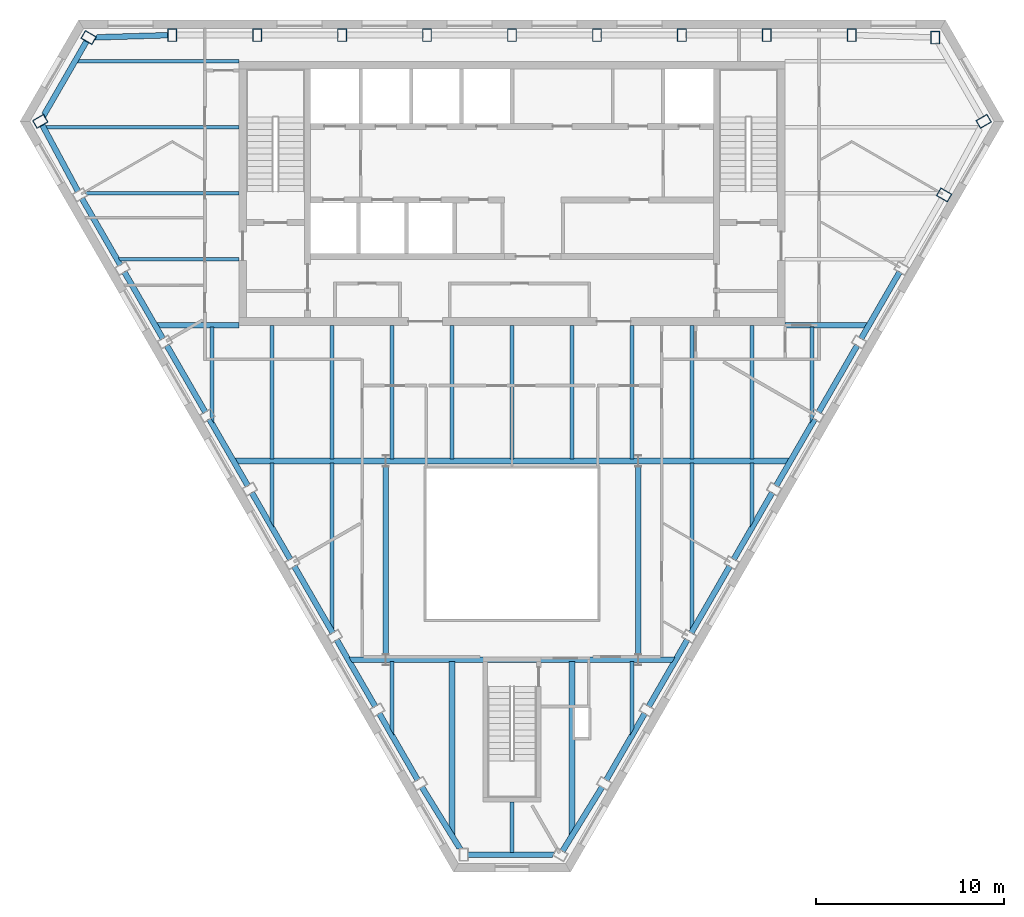
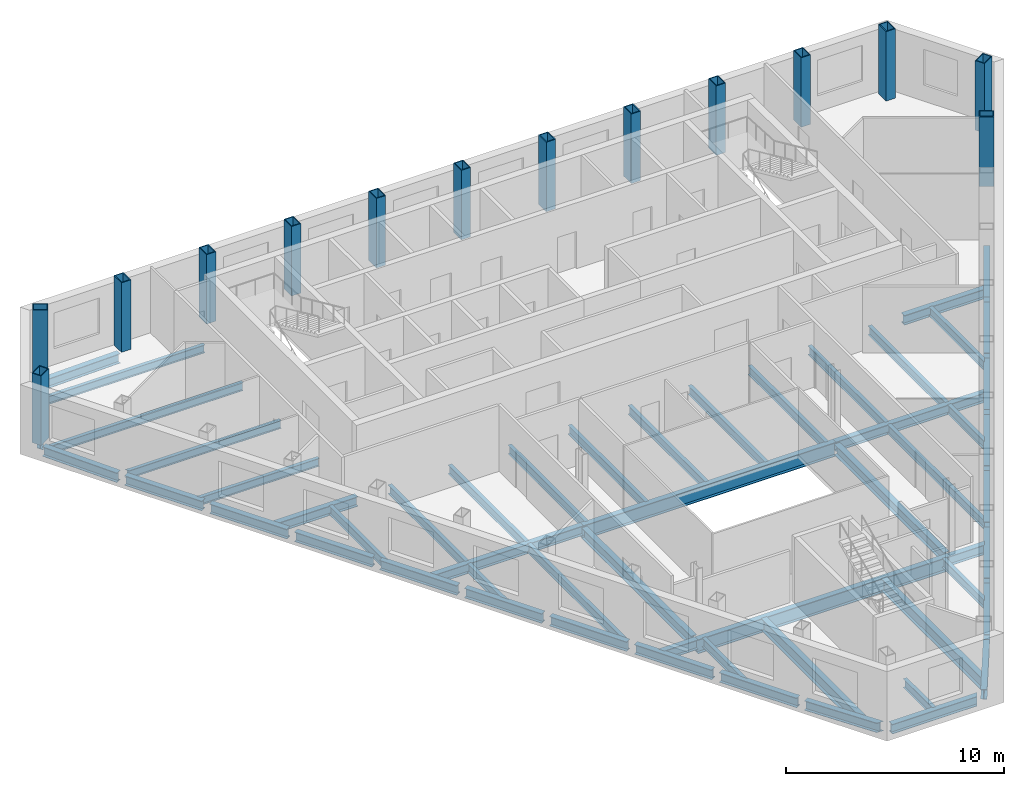
# One storey, part 2 of 10: 55 beams, 14 columns.
"""IFC4 building model written with IfcOpenShell, lengths in metres."""

from ifc_helpers import new_model, si_unit, direction, frame, origin, origin_2d, place, context, subcontext, project, spatial, hollow_rectangle, i_section, extrude, clip, halfspace, material, material_profile, profile_set, type_object, element, save


model = new_model("IFC4")

# Units and contexts
model_context = context("Model", 3, precision=1e-05, world=origin(), true_north=direction((0.0, 1.0)))
body_context = subcontext(model_context, "Body", "Model", "MODEL_VIEW")
ifc_project = project(units=[si_unit("LENGTHUNIT", "METRE"), si_unit("AREAUNIT", "SQUARE_METRE"), si_unit("VOLUMEUNIT", "CUBIC_METRE"), si_unit("PLANEANGLEUNIT", "RADIAN"), si_unit("MASSUNIT", "GRAM", prefix="KILO")], contexts=[model_context])

# Site, building, storey
site_placement = place(None, origin())
site = spatial("IfcSite", under=ifc_project, at=site_placement, CompositionType="ELEMENT")
building_placement = place(site_placement, origin())
building = spatial("IfcBuilding", under=site, at=building_placement, Name="Njiva Tower", CompositionType="ELEMENT")
storey_placement = place(building_placement, frame((0.0, 0.0, 249.3)))
storey = spatial("IfcBuildingStorey", under=building, at=storey_placement, Name="L56", CompositionType="ELEMENT", Elevation=249.3)

# Columns
ifc_material = material(Name="Steel S355 J2", Category="steel")
ifc_material_profile_1 = material_profile(ifc_material, hollow_rectangle(XDim=0.5, YDim=0.7, WallThickness=0.045, at=origin_2d()), Name="BOX 700x500x45")
ifc_profile_set_1 = profile_set([ifc_material_profile_1], Name="Steel S355 J2")
column_type = type_object("IfcColumnType", Name="C13 Perimeter tube column BOX 700x500x45", PredefinedType="COLUMN", material=ifc_profile_set_1)
for number, where, z_axis, x_axis, name in (
    (1, (22.466, 19.267, 0.0), (0.0, 0.0, 1.0), (-1.0, 0.0, 0.0), "Perimeter tube column S18-C01"),
    (2, (18.034, 19.4, 0.0), (0.0, 0.0, 1.0), (-1.0, 0.0, 0.0), "Perimeter tube column S18-C02"),
    (3, (13.526, 19.4, 0.0), (0.0, 0.0, 1.0), (-1.0, 0.0, 0.0), "Perimeter tube column S18-C03"),
    (4, (9.017, 19.4, 0.0), (0.0, 0.0, 1.0), (-1.0, 0.0, 0.0), "Perimeter tube column S18-C04"),
    (5, (4.509, 19.4, 0.0), (0.0, 0.0, 1.0), (-1.0, 0.0, 0.0), "Perimeter tube column S18-C05"),
    (6, (0.0, 19.4, 0.0), (0.0, 0.0, 1.0), (-1.0, 0.0, 0.0), "Perimeter tube column S18-C06"),
    (7, (-4.509, 19.4, 0.0), (0.0, 0.0, 1.0), (-1.0, 0.0, 0.0), "Perimeter tube column S18-C07"),
    (8, (-9.017, 19.4, 0.0), (0.0, 0.0, 1.0), (-1.0, 0.0, 0.0), "Perimeter tube column S18-C08"),
    (9, (-13.526, 19.4, 0.0), (0.0, 0.0, 1.0), (-1.0, 0.0, 0.0), "Perimeter tube column S18-C09"),
    (10, (-18.034, 19.4, 0.0), (0.0, 0.0, 1.0), (-1.0, 0.0, 0.0), "Perimeter tube column S18-C10"),
    (11, (-22.466, 19.267, 0.0), (0.0, 0.0, 1.0), (-0.5, -0.866025403784, 0.0), "Perimeter tube column S18-C11"),
    (12, (-25.033, 14.822, 0.0), (0.0, 0.0, 1.0), (0.5, -0.866025403784, 0.0), "Perimeter tube column S18-C12"),
    (13, (22.932, 10.917, 0.0), (0.0, 0.0, 1.0), (0.5, 0.866025403784, 0.0), "Perimeter tube column S18-C32"),
    (14, (25.033, 14.822, 0.0), (0.0, 0.0, 1.0), (-0.5, 0.866025403784, 0.0), "Perimeter tube column S18-C33"),
):
    element("IfcColumn", number, at=place(storey_placement, frame(where, z_axis=z_axis, x_axis=x_axis)), inside=storey, type_object=column_type, Name=name, PredefinedType="COLUMN", context=body_context, shape_type="SweptSolid", body=[
        extrude(hollow_rectangle(XDim=0.5, YDim=0.7, WallThickness=0.045, at=origin_2d()), origin(), (0.0, 0.0, 1.0), 3.9),
    ])

# Beams
ifc_material_profile_2 = material_profile(ifc_material, i_section(OverallWidth=0.3, OverallDepth=0.69, WebThickness=0.0145, FlangeThickness=0.027, at=origin_2d()), Name="HEA 700")
ifc_profile_set_2 = profile_set([ifc_material_profile_2], Name="Steel S355 J2")
beam_type_1 = type_object("IfcBeamType", Name="B26 Floor joist HEA 700", PredefinedType="JOIST", material=ifc_profile_set_2)
beam_1_placement = place(storey_placement, frame((-3.183, -13.85, -0.545), z_axis=(0.0, -1.0, 0.0), x_axis=(1.0, 0.0, 0.0)))
element("IfcBeam", 15, at=beam_1_placement, inside=storey, type_object=beam_type_1, Name="Floor joist S18-B061", PredefinedType="JOIST", context=body_context, shape_type="Clipping", body=[
    clip(extrude(i_section(OverallWidth=0.3, OverallDepth=0.69, WebThickness=0.0145, FlangeThickness=0.027, at=origin_2d()), origin(), (0.0, 0.0, 1.0), 9.234), halfspace(frame((-0.0429, 0.0, 8.9834), z_axis=(-0.850624900762, 0.0, 0.525773029171), x_axis=(0.0, 1.0, 0.0)), False)),
])
beam_2_placement = place(storey_placement, frame((3.183, -13.85, -0.545), z_axis=(0.0, -1.0, 0.0), x_axis=(1.0, 0.0, 0.0)))
element("IfcBeam", 16, at=beam_2_placement, inside=storey, type_object=beam_type_1, Name="Floor joist S18-B066", PredefinedType="JOIST", context=body_context, shape_type="Clipping", body=[
    clip(extrude(i_section(OverallWidth=0.3, OverallDepth=0.69, WebThickness=0.0145, FlangeThickness=0.027, at=origin_2d()), origin(), (0.0, 0.0, 1.0), 9.234), halfspace(frame((0.0429, 0.0, 8.9834), z_axis=(0.850624900762, 0.0, 0.525773029171), x_axis=(0.0, 1.0, 0.0)), False)),
])
ifc_material_profile_3 = material_profile(ifc_material, i_section(OverallWidth=0.3, OverallDepth=0.59, WebThickness=0.013, FlangeThickness=0.025, at=origin_2d()), Name="HEA 600")
ifc_profile_set_3 = profile_set([ifc_material_profile_3], Name="Steel S355 J2")
beam_type_2 = type_object("IfcBeamType", Name="B30 Long-span atrium trimmer beam HEA 600", PredefinedType="BEAM", material=ifc_profile_set_3)
for number, where, z_axis, x_axis, name in (
    (17, (6.7, -13.5, -0.495), (0.0, 1.0, 0.0), (-1.0, 0.0, 0.0), "Long-span atrium trimmer beam S18-B083"),
    (18, (-6.7, -3.45, -0.495), (0.0, -1.0, 0.0), (1.0, 0.0, 0.0), "Long-span atrium trimmer beam S18-B080"),
):
    element("IfcBeam", number, at=place(storey_placement, frame(where, z_axis=z_axis, x_axis=x_axis)), inside=storey, type_object=beam_type_2, Name=name, PredefinedType="BEAM", context=body_context, shape_type="SweptSolid", body=[
        extrude(i_section(OverallWidth=0.3, OverallDepth=0.59, WebThickness=0.013, FlangeThickness=0.025, at=origin_2d()), origin(), (0.0, 0.0, 1.0), 10.05),
    ])
ifc_material_profile_4 = material_profile(ifc_material, i_section(OverallWidth=0.19, OverallDepth=0.45, WebThickness=0.0094, FlangeThickness=0.0146, at=origin_2d()), Name="IPE 450")
ifc_profile_set_4 = profile_set([ifc_material_profile_4], Name="Steel S355 J2")
beam_type_3 = type_object("IfcBeamType", Name="B37 Floor beam to the core IPE 450", PredefinedType="BEAM", material=ifc_profile_set_4)
beam_3_placement = place(storey_placement, frame((-20.918, 7.5, -0.425), z_axis=(1.0, 0.0, 0.0), x_axis=(0.0, 1.0, 0.0)))
element("IfcBeam", 19, at=beam_3_placement, inside=storey, type_object=beam_type_3, Name="Floor beam to the core S18-B014", PredefinedType="BEAM", context=body_context, shape_type="Clipping", body=[
    clip(extrude(i_section(OverallWidth=0.19, OverallDepth=0.45, WebThickness=0.0094, FlangeThickness=0.0146, at=origin_2d()), origin(), (0.0, 0.0, 1.0), 6.418), halfspace(frame((-0.025, 0.0, 0.089), z_axis=(-0.499998009787, 0.0, -0.866026552831), x_axis=(0.0, -1.0, 0.0)), False)),
])
beam_4_placement = place(storey_placement, frame((-22.709, 11.0, -0.425), z_axis=(1.0, 0.0, 0.0), x_axis=(0.0, 1.0, 0.0)))
element("IfcBeam", 20, at=beam_4_placement, inside=storey, type_object=beam_type_3, Name="Floor beam to the core S18-B013", PredefinedType="BEAM", context=body_context, shape_type="Clipping", body=[
    clip(extrude(i_section(OverallWidth=0.19, OverallDepth=0.45, WebThickness=0.0094, FlangeThickness=0.0146, at=origin_2d()), origin(), (0.0, 0.0, 1.0), 8.209), halfspace(frame((-0.025, 0.0, 0.0899), z_axis=(-0.499998009787, 0.0, -0.866026552831), x_axis=(0.0, -1.0, 0.0)), False)),
])
beam_5_placement = place(storey_placement, frame((-23.157, 18.0, -0.425), z_axis=(1.0, 0.0, 0.0), x_axis=(0.0, 1.0, 0.0)))
element("IfcBeam", 21, at=beam_5_placement, inside=storey, type_object=beam_type_3, Name="Floor beam to the core S18-B011", PredefinedType="BEAM", context=body_context, shape_type="Clipping", body=[
    clip(extrude(i_section(OverallWidth=0.19, OverallDepth=0.45, WebThickness=0.0094, FlangeThickness=0.0146, at=origin_2d()), origin(), (0.0, 0.0, 1.0), 8.657), halfspace(frame((0.025, 0.0, 0.0892), z_axis=(0.499998009787, 0.0, -0.866026552831), x_axis=(0.0, -1.0, 0.0)), False)),
])
ifc_material_profile_5 = material_profile(ifc_material, i_section(OverallWidth=0.3, OverallDepth=0.54, WebThickness=0.0125, FlangeThickness=0.024, at=origin_2d()), Name="HEA 550")
ifc_profile_set_5 = profile_set([ifc_material_profile_5], Name="Steel S355 J2")
beam_type_4 = type_object("IfcBeamType", Name="B39 Short-span spandrel beam HEA 550", PredefinedType="SPANDREL", material=ifc_profile_set_5)
beam_6_placement = place(storey_placement, frame((-18.238, 19.394, -0.47), z_axis=(-0.999544721099, -0.030172015575, 0.0), x_axis=(0.030172015575, -0.999544721099, 0.0)))
element("IfcBeam", 22, at=beam_6_placement, inside=storey, type_object=beam_type_4, Name="Short-span spandrel beam S18-B090", PredefinedType="SPANDREL", context=body_context, shape_type="Clipping", body=[
    clip(extrude(i_section(OverallWidth=0.3, OverallDepth=0.54, WebThickness=0.0125, FlangeThickness=0.024, at=origin_2d()), origin(), (0.0, 0.0, 1.0), 3.9908), halfspace(frame((-0.0268, 0.0, 3.861), z_axis=(-0.525900137883, 0.0, 0.850546321475), x_axis=(0.0, 1.0, 0.0)), False)),
])
beam_7_placement = place(storey_placement, frame((-24.936, 14.643, -0.47), z_axis=(0.473833234229, -0.880614595689, 0.0), x_axis=(0.880614595689, 0.473833234229, 0.0)))
element("IfcBeam", 23, at=beam_7_placement, inside=storey, type_object=beam_type_4, Name="Short-span spandrel beam S18-B085", PredefinedType="SPANDREL", context=body_context, shape_type="SweptSolid", body=[
    extrude(i_section(OverallWidth=0.3, OverallDepth=0.54, WebThickness=0.0125, FlangeThickness=0.024, at=origin_2d()), origin(), (0.0, 0.0, 1.0), 4.0267),
])
beam_8_placement = place(storey_placement, frame((-22.832, 10.744, -0.47), z_axis=(0.499961250474, -0.866047774678, 0.0), x_axis=(0.866047774678, 0.499961250474, 0.0)))
element("IfcBeam", 24, at=beam_8_placement, inside=storey, type_object=beam_type_4, Name="Short-span spandrel beam S18-B088", PredefinedType="SPANDREL", context=body_context, shape_type="SweptSolid", body=[
    extrude(i_section(OverallWidth=0.3, OverallDepth=0.54, WebThickness=0.0125, FlangeThickness=0.024, at=origin_2d()), origin(), (0.0, 0.0, 1.0), 4.1083),
])
beam_9_placement = place(storey_placement, frame((-20.578, 6.84, -0.47), z_axis=(0.500038395149, -0.8660032352, 0.0), x_axis=(0.8660032352, 0.500038395149, 0.0)))
element("IfcBeam", 25, at=beam_9_placement, inside=storey, type_object=beam_type_4, Name="Short-span spandrel beam S18-B092", PredefinedType="SPANDREL", context=body_context, shape_type="SweptSolid", body=[
    extrude(i_section(OverallWidth=0.3, OverallDepth=0.54, WebThickness=0.0125, FlangeThickness=0.024, at=origin_2d()), origin(), (0.0, 0.0, 1.0), 4.1097),
])
beam_10_placement = place(storey_placement, frame((-18.323, 2.935, -0.47), z_axis=(0.499961250474, -0.866047774678, 0.0), x_axis=(0.866047774678, 0.499961250474, 0.0)))
element("IfcBeam", 26, at=beam_10_placement, inside=storey, type_object=beam_type_4, Name="Short-span spandrel beam S18-B094", PredefinedType="SPANDREL", context=body_context, shape_type="SweptSolid", body=[
    extrude(i_section(OverallWidth=0.3, OverallDepth=0.54, WebThickness=0.0125, FlangeThickness=0.024, at=origin_2d()), origin(), (0.0, 0.0, 1.0), 4.1083),
])
beam_11_placement = place(storey_placement, frame((-16.069, -0.969, -0.47), z_axis=(0.499855875421, -0.866108598161, 0.0), x_axis=(0.866108598161, 0.499855875421, 0.0)))
element("IfcBeam", 27, at=beam_11_placement, inside=storey, type_object=beam_type_4, Name="Short-span spandrel beam S18-B098", PredefinedType="SPANDREL", context=body_context, shape_type="SweptSolid", body=[
    extrude(i_section(OverallWidth=0.3, OverallDepth=0.54, WebThickness=0.0125, FlangeThickness=0.024, at=origin_2d()), origin(), (0.0, 0.0, 1.0), 4.1092),
])
beam_12_placement = place(storey_placement, frame((-13.815, -4.874, -0.47), z_axis=(0.500038395149, -0.8660032352, 0.0), x_axis=(0.8660032352, 0.500038395149, 0.0)))
element("IfcBeam", 28, at=beam_12_placement, inside=storey, type_object=beam_type_4, Name="Short-span spandrel beam S18-B100", PredefinedType="SPANDREL", context=body_context, shape_type="SweptSolid", body=[
    extrude(i_section(OverallWidth=0.3, OverallDepth=0.54, WebThickness=0.0125, FlangeThickness=0.024, at=origin_2d()), origin(), (0.0, 0.0, 1.0), 4.1097),
])
beam_13_placement = place(storey_placement, frame((-11.56, -8.779, -0.47), z_axis=(0.499961250474, -0.866047774678, 0.0), x_axis=(0.866047774678, 0.499961250474, 0.0)))
element("IfcBeam", 29, at=beam_13_placement, inside=storey, type_object=beam_type_4, Name="Short-span spandrel beam S18-B104", PredefinedType="SPANDREL", context=body_context, shape_type="SweptSolid", body=[
    extrude(i_section(OverallWidth=0.3, OverallDepth=0.54, WebThickness=0.0125, FlangeThickness=0.024, at=origin_2d()), origin(), (0.0, 0.0, 1.0), 4.1083),
])
beam_14_placement = place(storey_placement, frame((-9.306, -12.683, -0.47), z_axis=(0.499855875421, -0.866108598161, 0.0), x_axis=(0.866108598161, 0.499855875421, 0.0)))
element("IfcBeam", 30, at=beam_14_placement, inside=storey, type_object=beam_type_4, Name="Short-span spandrel beam S18-B106", PredefinedType="SPANDREL", context=body_context, shape_type="SweptSolid", body=[
    extrude(i_section(OverallWidth=0.3, OverallDepth=0.54, WebThickness=0.0125, FlangeThickness=0.024, at=origin_2d()), origin(), (0.0, 0.0, 1.0), 4.1092),
])
beam_15_placement = place(storey_placement, frame((-7.052, -16.588, -0.47), z_axis=(0.500143783026, -0.865942374699, 0.0), x_axis=(0.865942374699, 0.500143783026, 0.0)))
element("IfcBeam", 31, at=beam_15_placement, inside=storey, type_object=beam_type_4, Name="Short-span spandrel beam S18-B109", PredefinedType="SPANDREL", context=body_context, shape_type="SweptSolid", body=[
    extrude(i_section(OverallWidth=0.3, OverallDepth=0.54, WebThickness=0.0125, FlangeThickness=0.024, at=origin_2d()), origin(), (0.0, 0.0, 1.0), 4.1088),
])
beam_16_placement = place(storey_placement, frame((-4.79, -20.493, -0.47), z_axis=(0.525679579042, -0.850682655388, 0.0), x_axis=(0.850682655388, 0.525679579042, 0.0)))
element("IfcBeam", 32, at=beam_16_placement, inside=storey, type_object=beam_type_4, Name="Short-span spandrel beam S18-B111", PredefinedType="SPANDREL", context=body_context, shape_type="Clipping", body=[
    clip(extrude(i_section(OverallWidth=0.3, OverallDepth=0.54, WebThickness=0.0125, FlangeThickness=0.024, at=origin_2d()), origin(), (0.0, 0.0, 1.0), 3.9899), halfspace(frame((-0.0259, 0.0, 3.8609), z_axis=(-0.525679579042, 0.0, 0.850682655388), x_axis=(0.0, 1.0, 0.0)), False)),
])
beam_17_placement = place(storey_placement, frame((2.673, -23.918, -0.47), z_axis=(0.525773090437, 0.850624862894, 0.0), x_axis=(-0.850624862894, 0.525773090437, 0.0)))
element("IfcBeam", 33, at=beam_17_placement, inside=storey, type_object=beam_type_4, Name="Short-span spandrel beam S18-B118", PredefinedType="SPANDREL", context=body_context, shape_type="SweptSolid", body=[
    extrude(i_section(OverallWidth=0.3, OverallDepth=0.54, WebThickness=0.0125, FlangeThickness=0.024, at=origin_2d()), origin(), (0.0, 0.0, 1.0), 4.0265),
])
beam_18_placement = place(storey_placement, frame((4.997, -20.146, -0.47), z_axis=(0.500143783026, 0.865942374699, 0.0), x_axis=(-0.865942374699, 0.500143783026, 0.0)))
element("IfcBeam", 34, at=beam_18_placement, inside=storey, type_object=beam_type_4, Name="Short-span spandrel beam S18-B121", PredefinedType="SPANDREL", context=body_context, shape_type="SweptSolid", body=[
    extrude(i_section(OverallWidth=0.3, OverallDepth=0.54, WebThickness=0.0125, FlangeThickness=0.024, at=origin_2d()), origin(), (0.0, 0.0, 1.0), 4.1088),
])
beam_19_placement = place(storey_placement, frame((7.252, -16.242, -0.47), z_axis=(0.499855875421, 0.866108598161, 0.0), x_axis=(-0.866108598161, 0.499855875421, 0.0)))
element("IfcBeam", 35, at=beam_19_placement, inside=storey, type_object=beam_type_4, Name="Short-span spandrel beam S18-B123", PredefinedType="SPANDREL", context=body_context, shape_type="SweptSolid", body=[
    extrude(i_section(OverallWidth=0.3, OverallDepth=0.54, WebThickness=0.0125, FlangeThickness=0.024, at=origin_2d()), origin(), (0.0, 0.0, 1.0), 4.1092),
])
beam_20_placement = place(storey_placement, frame((9.506, -12.337, -0.47), z_axis=(0.499961250474, 0.866047774678, 0.0), x_axis=(-0.866047774678, 0.499961250474, 0.0)))
element("IfcBeam", 36, at=beam_20_placement, inside=storey, type_object=beam_type_4, Name="Short-span spandrel beam S18-B127", PredefinedType="SPANDREL", context=body_context, shape_type="SweptSolid", body=[
    extrude(i_section(OverallWidth=0.3, OverallDepth=0.54, WebThickness=0.0125, FlangeThickness=0.024, at=origin_2d()), origin(), (0.0, 0.0, 1.0), 4.1083),
])
beam_21_placement = place(storey_placement, frame((11.76, -8.433, -0.47), z_axis=(0.500038395149, 0.8660032352, 0.0), x_axis=(-0.8660032352, 0.500038395149, 0.0)))
element("IfcBeam", 37, at=beam_21_placement, inside=storey, type_object=beam_type_4, Name="Short-span spandrel beam S18-B129", PredefinedType="SPANDREL", context=body_context, shape_type="SweptSolid", body=[
    extrude(i_section(OverallWidth=0.3, OverallDepth=0.54, WebThickness=0.0125, FlangeThickness=0.024, at=origin_2d()), origin(), (0.0, 0.0, 1.0), 4.1097),
])
beam_22_placement = place(storey_placement, frame((14.015, -4.528, -0.47), z_axis=(0.499855875421, 0.866108598161, 0.0), x_axis=(-0.866108598161, 0.499855875421, 0.0)))
element("IfcBeam", 38, at=beam_22_placement, inside=storey, type_object=beam_type_4, Name="Short-span spandrel beam S18-B133", PredefinedType="SPANDREL", context=body_context, shape_type="SweptSolid", body=[
    extrude(i_section(OverallWidth=0.3, OverallDepth=0.54, WebThickness=0.0125, FlangeThickness=0.024, at=origin_2d()), origin(), (0.0, 0.0, 1.0), 4.1092),
])
beam_23_placement = place(storey_placement, frame((16.269, -0.623, -0.47), z_axis=(0.499961250474, 0.866047774678, 0.0), x_axis=(-0.866047774678, 0.499961250474, 0.0)))
element("IfcBeam", 39, at=beam_23_placement, inside=storey, type_object=beam_type_4, Name="Short-span spandrel beam S18-B135", PredefinedType="SPANDREL", context=body_context, shape_type="SweptSolid", body=[
    extrude(i_section(OverallWidth=0.3, OverallDepth=0.54, WebThickness=0.0125, FlangeThickness=0.024, at=origin_2d()), origin(), (0.0, 0.0, 1.0), 4.1083),
])
beam_24_placement = place(storey_placement, frame((18.523, 3.281, -0.47), z_axis=(0.500038395149, 0.8660032352, 0.0), x_axis=(-0.8660032352, 0.500038395149, 0.0)))
element("IfcBeam", 40, at=beam_24_placement, inside=storey, type_object=beam_type_4, Name="Short-span spandrel beam S18-B139", PredefinedType="SPANDREL", context=body_context, shape_type="SweptSolid", body=[
    extrude(i_section(OverallWidth=0.3, OverallDepth=0.54, WebThickness=0.0125, FlangeThickness=0.024, at=origin_2d()), origin(), (0.0, 0.0, 1.0), 4.1097),
])
ifc_material_profile_6 = material_profile(ifc_material, i_section(OverallWidth=0.3, OverallDepth=0.54, WebThickness=0.0125, FlangeThickness=0.024, at=origin_2d()), Name="HEA 550")
ifc_profile_set_6 = profile_set([ifc_material_profile_6], Name="Steel S355 J2")
beam_type_5 = type_object("IfcBeamType", Name="B40 Floor girder HEA 550", PredefinedType="BEAM", material=ifc_profile_set_6)
beam_25_placement = place(storey_placement, frame((-14.773, -3.2, -0.47), z_axis=(1.0, 0.0, 0.0), x_axis=(0.0, 1.0, 0.0)))
element("IfcBeam", 41, at=beam_25_placement, inside=storey, type_object=beam_type_5, Name="Floor girder S18-B021", PredefinedType="BEAM", context=body_context, shape_type="Clipping", body=[
    clip(extrude(i_section(OverallWidth=0.3, OverallDepth=0.54, WebThickness=0.0125, FlangeThickness=0.024, at=origin_2d()), origin(), (0.0, 0.0, 1.0), 8.073), halfspace(frame((-0.025, 0.0, 0.1217), z_axis=(-0.499998009787, 0.0, -0.866026552831), x_axis=(0.0, -1.0, 0.0)), False)),
])
beam_26_placement = place(storey_placement, frame((6.7, -3.2, -0.47), z_axis=(1.0, 0.0, 0.0), x_axis=(0.0, 1.0, 0.0)))
element("IfcBeam", 42, at=beam_26_placement, inside=storey, type_object=beam_type_5, Name="Floor girder S18-B024", PredefinedType="BEAM", context=body_context, shape_type="Clipping", body=[
    clip(extrude(i_section(OverallWidth=0.3, OverallDepth=0.54, WebThickness=0.0125, FlangeThickness=0.024, at=origin_2d()), origin(), (0.0, 0.0, 1.0), 8.073), halfspace(frame((-0.025, 0.0, 7.9513), z_axis=(-0.499998009787, 0.0, 0.866026552831), x_axis=(0.0, 1.0, 0.0)), False)),
])
ifc_material_profile_7 = material_profile(ifc_material, i_section(OverallWidth=0.3, OverallDepth=0.54, WebThickness=0.0125, FlangeThickness=0.024, at=origin_2d()), Name="HEA 550")
ifc_profile_set_7 = profile_set([ifc_material_profile_7], Name="Steel S355 J2")
beam_type_6 = type_object("IfcBeamType", Name="B41 Short-span floor girder HEA 550", PredefinedType="BEAM", material=ifc_profile_set_7)
beam_27_placement = place(storey_placement, frame((-8.682, -13.75, -0.47), z_axis=(1.0, 0.0, 0.0), x_axis=(0.0, 1.0, 0.0)))
element("IfcBeam", 43, at=beam_27_placement, inside=storey, type_object=beam_type_6, Name="Short-span floor girder S18-B022", PredefinedType="BEAM", context=body_context, shape_type="Clipping", body=[
    clip(extrude(i_section(OverallWidth=0.3, OverallDepth=0.54, WebThickness=0.0125, FlangeThickness=0.024, at=origin_2d()), origin(), (0.0, 0.0, 1.0), 1.982), halfspace(frame((-0.025, 0.0, 0.1217), z_axis=(-0.499998009787, 0.0, -0.866026552831), x_axis=(0.0, -1.0, 0.0)), False)),
])
beam_28_placement = place(storey_placement, frame((6.7, -13.75, -0.47), z_axis=(1.0, 0.0, 0.0), x_axis=(0.0, 1.0, 0.0)))
element("IfcBeam", 44, at=beam_28_placement, inside=storey, type_object=beam_type_6, Name="Short-span floor girder S18-B023", PredefinedType="BEAM", context=body_context, shape_type="Clipping", body=[
    clip(extrude(i_section(OverallWidth=0.3, OverallDepth=0.54, WebThickness=0.0125, FlangeThickness=0.024, at=origin_2d()), origin(), (0.0, 0.0, 1.0), 1.982), halfspace(frame((-0.025, 0.0, 1.8603), z_axis=(-0.499998009787, 0.0, 0.866026552831), x_axis=(0.0, 1.0, 0.0)), False)),
])
beam_29_placement = place(storey_placement, frame((-18.93, 4.0, -0.47), z_axis=(1.0, 0.0, 0.0), x_axis=(0.0, 1.0, 0.0)))
element("IfcBeam", 45, at=beam_29_placement, inside=storey, type_object=beam_type_6, Name="Short-span floor girder S18-B020", PredefinedType="BEAM", context=body_context, shape_type="Clipping", body=[
    clip(extrude(i_section(OverallWidth=0.3, OverallDepth=0.54, WebThickness=0.0125, FlangeThickness=0.024, at=origin_2d()), origin(), (0.0, 0.0, 1.0), 4.43), halfspace(frame((-0.025, 0.0, 0.1217), z_axis=(-0.499998009787, 0.0, -0.866026552831), x_axis=(0.0, -1.0, 0.0)), False)),
])
beam_30_placement = place(storey_placement, frame((14.5, 4.0, -0.47), z_axis=(1.0, 0.0, 0.0), x_axis=(0.0, 1.0, 0.0)))
element("IfcBeam", 46, at=beam_30_placement, inside=storey, type_object=beam_type_6, Name="Short-span floor girder S18-B025", PredefinedType="BEAM", context=body_context, shape_type="Clipping", body=[
    clip(extrude(i_section(OverallWidth=0.3, OverallDepth=0.54, WebThickness=0.0125, FlangeThickness=0.024, at=origin_2d()), origin(), (0.0, 0.0, 1.0), 4.43), halfspace(frame((-0.025, 0.0, 4.3083), z_axis=(-0.499998009787, 0.0, 0.866026552831), x_axis=(0.0, 1.0, 0.0)), False)),
])
ifc_material_profile_8 = material_profile(ifc_material, i_section(OverallWidth=0.2, OverallDepth=0.5, WebThickness=0.0102, FlangeThickness=0.016, at=origin_2d()), Name="IPE 500")
ifc_profile_set_8 = profile_set([ifc_material_profile_8], Name="Steel S355 J2")
beam_type_7 = type_object("IfcBeamType", Name="B42 Short-span floor joist IPE 500", PredefinedType="JOIST", material=ifc_profile_set_8)
beam_31_placement = place(storey_placement, frame((-12.733, -3.3, -0.45), z_axis=(0.0, -1.0, 0.0), x_axis=(1.0, 0.0, 0.0)))
element("IfcBeam", 47, at=beam_31_placement, inside=storey, type_object=beam_type_7, Name="Short-span floor joist S18-B053", PredefinedType="JOIST", context=body_context, shape_type="Clipping", body=[
    clip(extrude(i_section(OverallWidth=0.2, OverallDepth=0.5, WebThickness=0.0102, FlangeThickness=0.016, at=origin_2d()), origin(), (0.0, 0.0, 1.0), 3.44), halfspace(frame((-0.0436, 0.0, 3.1721), z_axis=(-0.866026552831, 0.0, 0.499998009787), x_axis=(0.0, 1.0, 0.0)), False)),
])
beam_32_placement = place(storey_placement, frame((-6.367, -13.85, -0.45), z_axis=(0.0, -1.0, 0.0), x_axis=(1.0, 0.0, 0.0)))
element("IfcBeam", 48, at=beam_32_placement, inside=storey, type_object=beam_type_7, Name="Short-span floor joist S18-B058", PredefinedType="JOIST", context=body_context, shape_type="Clipping", body=[
    clip(extrude(i_section(OverallWidth=0.2, OverallDepth=0.5, WebThickness=0.0102, FlangeThickness=0.016, at=origin_2d()), origin(), (0.0, 0.0, 1.0), 3.917), halfspace(frame((-0.043, 0.0, 3.6495), z_axis=(-0.866026552831, 0.0, 0.499998009787), x_axis=(0.0, 1.0, 0.0)), False)),
])
beam_33_placement = place(storey_placement, frame((0.0, -21.3, -0.45), z_axis=(0.0, -1.0, 0.0), x_axis=(1.0, 0.0, 0.0)))
element("IfcBeam", 49, at=beam_33_placement, inside=storey, type_object=beam_type_7, Name="Short-span floor joist S18-B064", PredefinedType="JOIST", context=body_context, shape_type="SweptSolid", body=[
    extrude(i_section(OverallWidth=0.2, OverallDepth=0.5, WebThickness=0.0102, FlangeThickness=0.016, at=origin_2d()), origin(), (0.0, 0.0, 1.0), 2.691),
])
beam_34_placement = place(storey_placement, frame((6.367, -13.85, -0.45), z_axis=(0.0, -1.0, 0.0), x_axis=(1.0, 0.0, 0.0)))
element("IfcBeam", 50, at=beam_34_placement, inside=storey, type_object=beam_type_7, Name="Short-span floor joist S18-B069", PredefinedType="JOIST", context=body_context, shape_type="Clipping", body=[
    clip(extrude(i_section(OverallWidth=0.2, OverallDepth=0.5, WebThickness=0.0102, FlangeThickness=0.016, at=origin_2d()), origin(), (0.0, 0.0, 1.0), 3.917), halfspace(frame((0.043, 0.0, 3.6495), z_axis=(0.866026552831, 0.0, 0.499998009787), x_axis=(0.0, 1.0, 0.0)), False)),
])
beam_35_placement = place(storey_placement, frame((12.733, -3.3, -0.45), z_axis=(0.0, -1.0, 0.0), x_axis=(1.0, 0.0, 0.0)))
element("IfcBeam", 51, at=beam_35_placement, inside=storey, type_object=beam_type_7, Name="Short-span floor joist S18-B075", PredefinedType="JOIST", context=body_context, shape_type="Clipping", body=[
    clip(extrude(i_section(OverallWidth=0.2, OverallDepth=0.5, WebThickness=0.0102, FlangeThickness=0.016, at=origin_2d()), origin(), (0.0, 0.0, 1.0), 3.44), halfspace(frame((0.0436, 0.0, 3.1721), z_axis=(0.866026552831, 0.0, 0.499998009787), x_axis=(0.0, 1.0, 0.0)), False)),
])
ifc_material_profile_9 = material_profile(ifc_material, i_section(OverallWidth=0.2, OverallDepth=0.5, WebThickness=0.0102, FlangeThickness=0.016, at=origin_2d()), Name="IPE 500")
ifc_profile_set_9 = profile_set([ifc_material_profile_9], Name="Steel S355 J2")
beam_type_8 = type_object("IfcBeamType", Name="B43 Floor joist IPE 500", PredefinedType="JOIST", material=ifc_profile_set_9)
beam_36_placement = place(storey_placement, frame((-15.917, 3.9, -0.45), z_axis=(0.0, -1.0, 0.0), x_axis=(1.0, 0.0, 0.0)))
element("IfcBeam", 52, at=beam_36_placement, inside=storey, type_object=beam_type_8, Name="Floor joist S18-B052", PredefinedType="JOIST", context=body_context, shape_type="Clipping", body=[
    clip(extrude(i_section(OverallWidth=0.2, OverallDepth=0.5, WebThickness=0.0102, FlangeThickness=0.016, at=origin_2d()), origin(), (0.0, 0.0, 1.0), 5.126), halfspace(frame((-0.043, 0.0, 4.8584), z_axis=(-0.866026552831, 0.0, 0.499998009787), x_axis=(0.0, 1.0, 0.0)), False)),
])
for number, where, z_axis, x_axis, name in (
    (53, (-12.733, 3.995, -0.45), (0.0, -1.0, 0.0), (1.0, 0.0, 0.0), "Floor joist S18-B054"),
    (54, (-9.55, 3.995, -0.45), (0.0, -1.0, 0.0), (1.0, 0.0, 0.0), "Floor joist S18-B057"),
):
    element("IfcBeam", number, at=place(storey_placement, frame(where, z_axis=z_axis, x_axis=x_axis)), inside=storey, type_object=beam_type_8, Name=name, PredefinedType="JOIST", context=body_context, shape_type="SweptSolid", body=[
        extrude(i_section(OverallWidth=0.2, OverallDepth=0.5, WebThickness=0.0102, FlangeThickness=0.016, at=origin_2d()), origin(), (0.0, 0.0, 1.0), 7.095),
    ])
beam_37_placement = place(storey_placement, frame((-9.55, -3.3, -0.45), z_axis=(0.0, -1.0, 0.0), x_axis=(1.0, 0.0, 0.0)))
element("IfcBeam", 55, at=beam_37_placement, inside=storey, type_object=beam_type_8, Name="Floor joist S18-B055", PredefinedType="JOIST", context=body_context, shape_type="Clipping", body=[
    clip(extrude(i_section(OverallWidth=0.2, OverallDepth=0.5, WebThickness=0.0102, FlangeThickness=0.016, at=origin_2d()), origin(), (0.0, 0.0, 1.0), 8.954), halfspace(frame((-0.0433, 0.0, 8.6858), z_axis=(-0.866026552831, 0.0, 0.499998009787), x_axis=(0.0, 1.0, 0.0)), False)),
])
for number, where, z_axis, x_axis, name in (
    (56, (-6.367, 3.995, -0.45), (0.0, -1.0, 0.0), (1.0, 0.0, 0.0), "Floor joist S18-B060"),
    (57, (-3.183, 3.995, -0.45), (0.0, -1.0, 0.0), (1.0, 0.0, 0.0), "Floor joist S18-B063"),
    (58, (0.0, 3.995, -0.45), (0.0, -1.0, 0.0), (1.0, 0.0, 0.0), "Floor joist S18-B065"),
    (59, (3.183, 3.995, -0.45), (0.0, -1.0, 0.0), (1.0, 0.0, 0.0), "Floor joist S18-B068"),
    (60, (6.367, 3.995, -0.45), (0.0, -1.0, 0.0), (1.0, 0.0, 0.0), "Floor joist S18-B071"),
    (61, (9.55, 3.995, -0.45), (0.0, -1.0, 0.0), (1.0, 0.0, 0.0), "Floor joist S18-B074"),
):
    element("IfcBeam", number, at=place(storey_placement, frame(where, z_axis=z_axis, x_axis=x_axis)), inside=storey, type_object=beam_type_8, Name=name, PredefinedType="JOIST", context=body_context, shape_type="SweptSolid", body=[
        extrude(i_section(OverallWidth=0.2, OverallDepth=0.5, WebThickness=0.0102, FlangeThickness=0.016, at=origin_2d()), origin(), (0.0, 0.0, 1.0), 7.095),
    ])
beam_38_placement = place(storey_placement, frame((9.55, -3.3, -0.45), z_axis=(0.0, -1.0, 0.0), x_axis=(1.0, 0.0, 0.0)))
element("IfcBeam", 62, at=beam_38_placement, inside=storey, type_object=beam_type_8, Name="Floor joist S18-B072", PredefinedType="JOIST", context=body_context, shape_type="Clipping", body=[
    clip(extrude(i_section(OverallWidth=0.2, OverallDepth=0.5, WebThickness=0.0102, FlangeThickness=0.016, at=origin_2d()), origin(), (0.0, 0.0, 1.0), 8.954), halfspace(frame((0.0433, 0.0, 8.6858), z_axis=(0.866026552831, 0.0, 0.499998009787), x_axis=(0.0, 1.0, 0.0)), False)),
])
beam_39_placement = place(storey_placement, frame((12.733, 3.995, -0.45), z_axis=(0.0, -1.0, 0.0), x_axis=(1.0, 0.0, 0.0)))
element("IfcBeam", 63, at=beam_39_placement, inside=storey, type_object=beam_type_8, Name="Floor joist S18-B076", PredefinedType="JOIST", context=body_context, shape_type="SweptSolid", body=[
    extrude(i_section(OverallWidth=0.2, OverallDepth=0.5, WebThickness=0.0102, FlangeThickness=0.016, at=origin_2d()), origin(), (0.0, 0.0, 1.0), 7.095),
])
beam_40_placement = place(storey_placement, frame((15.917, 3.9, -0.45), z_axis=(0.0, -1.0, 0.0), x_axis=(1.0, 0.0, 0.0)))
element("IfcBeam", 64, at=beam_40_placement, inside=storey, type_object=beam_type_8, Name="Floor joist S18-B077", PredefinedType="JOIST", context=body_context, shape_type="Clipping", body=[
    clip(extrude(i_section(OverallWidth=0.2, OverallDepth=0.5, WebThickness=0.0102, FlangeThickness=0.016, at=origin_2d()), origin(), (0.0, 0.0, 1.0), 5.126), halfspace(frame((0.043, 0.0, 4.8584), z_axis=(0.866026552831, 0.0, 0.499998009787), x_axis=(0.0, 1.0, 0.0)), False)),
])
ifc_material_profile_10 = material_profile(ifc_material, i_section(OverallWidth=0.3, OverallDepth=0.54, WebThickness=0.0125, FlangeThickness=0.024, at=origin_2d()), Name="HEA 550")
ifc_profile_set_10 = profile_set([ifc_material_profile_10], Name="Steel S355 J2")
beam_type_9 = type_object("IfcBeamType", Name="B44 Spandrel beam HEA 550", PredefinedType="SPANDREL", material=ifc_profile_set_10)
beam_41_placement = place(storey_placement, frame((-22.566, 19.094, -0.47), z_axis=(-0.50012503653, -0.865953201874, 0.0), x_axis=(0.865953201874, -0.50012503653, 0.0)))
element("IfcBeam", 65, at=beam_41_placement, inside=storey, type_object=beam_type_9, Name="Spandrel beam S18-B087", PredefinedType="SPANDREL", context=body_context, shape_type="Clipping", body=[
    clip(extrude(i_section(OverallWidth=0.3, OverallDepth=0.54, WebThickness=0.0125, FlangeThickness=0.024, at=origin_2d()), origin(), (0.0, 0.0, 1.0), 4.6939), halfspace(frame((-0.0244, 0.0, 4.5726), z_axis=(-0.499876943422, 0.0, 0.866096438877), x_axis=(0.0, 1.0, 0.0)), False)),
])
beam_42_placement = place(storey_placement, frame((-2.366, -24.091, -0.47), z_axis=(1.0, 0.0, 0.0), x_axis=(0.0, 1.0, 0.0)))
element("IfcBeam", 66, at=beam_42_placement, inside=storey, type_object=beam_type_9, Name="Spandrel beam S18-B115", PredefinedType="SPANDREL", context=body_context, shape_type="Clipping", body=[
    clip(extrude(i_section(OverallWidth=0.3, OverallDepth=0.54, WebThickness=0.0125, FlangeThickness=0.024, at=origin_2d()), origin(), (0.0, 0.0, 1.0), 4.693), halfspace(frame((-0.0247, 0.0, 4.5713), z_axis=(-0.499998009787, 0.0, 0.866026552831), x_axis=(0.0, 1.0, 0.0)), False)),
])
ifc_material_profile_11 = material_profile(ifc_material, i_section(OverallWidth=0.19, OverallDepth=0.45, WebThickness=0.0094, FlangeThickness=0.0146, at=origin_2d()), Name="IPE 450")
ifc_profile_set_11 = profile_set([ifc_material_profile_11], Name="Steel S355 J2")
beam_type_10 = type_object("IfcBeamType", Name="B45 Long-span floor beam to the core IPE 450", PredefinedType="BEAM", material=ifc_profile_set_11)
beam_43_placement = place(storey_placement, frame((-24.817, 14.5, -0.425), z_axis=(1.0, 0.0, 0.0), x_axis=(0.0, 1.0, 0.0)))
element("IfcBeam", 67, at=beam_43_placement, inside=storey, type_object=beam_type_10, Name="Long-span floor beam to the core S18-B010", PredefinedType="BEAM", context=body_context, shape_type="Clipping", body=[
    clip(extrude(i_section(OverallWidth=0.19, OverallDepth=0.45, WebThickness=0.0094, FlangeThickness=0.0146, at=origin_2d()), origin(), (0.0, 0.0, 1.0), 10.317), halfspace(frame((-0.0237, 0.0, 0.084), z_axis=(-0.473777178452, 0.0, -0.88064475538), x_axis=(0.0, -1.0, 0.0)), False)),
])
ifc_material_profile_12 = material_profile(ifc_material, i_section(OverallWidth=0.3, OverallDepth=0.79, WebThickness=0.015, FlangeThickness=0.028, at=origin_2d()), Name="HEA 800")
ifc_profile_set_12 = profile_set([ifc_material_profile_12], Name="Steel S355 J2")
beam_type_11 = type_object("IfcBeamType", Name="B9 Long-span atrium trimmer beam HEA 800", PredefinedType="BEAM", material=ifc_profile_set_12)
for number, where, z_axis, x_axis, name in (
    (68, (-6.7, -13.75, -0.595), (1.0, 0.0, 0.0), (0.0, 1.0, 0.0), "Long-span atrium trimmer beam S18-B079"),
    (69, (6.7, -3.2, -0.595), (-1.0, 0.0, 0.0), (0.0, -1.0, 0.0), "Long-span atrium trimmer beam S18-B081"),
):
    element("IfcBeam", number, at=place(storey_placement, frame(where, z_axis=z_axis, x_axis=x_axis)), inside=storey, type_object=beam_type_11, Name=name, PredefinedType="BEAM", context=body_context, shape_type="SweptSolid", body=[
        extrude(i_section(OverallWidth=0.3, OverallDepth=0.79, WebThickness=0.015, FlangeThickness=0.028, at=origin_2d()), origin(), (0.0, 0.0, 1.0), 13.4),
    ])

save(model, "model.ifc")
